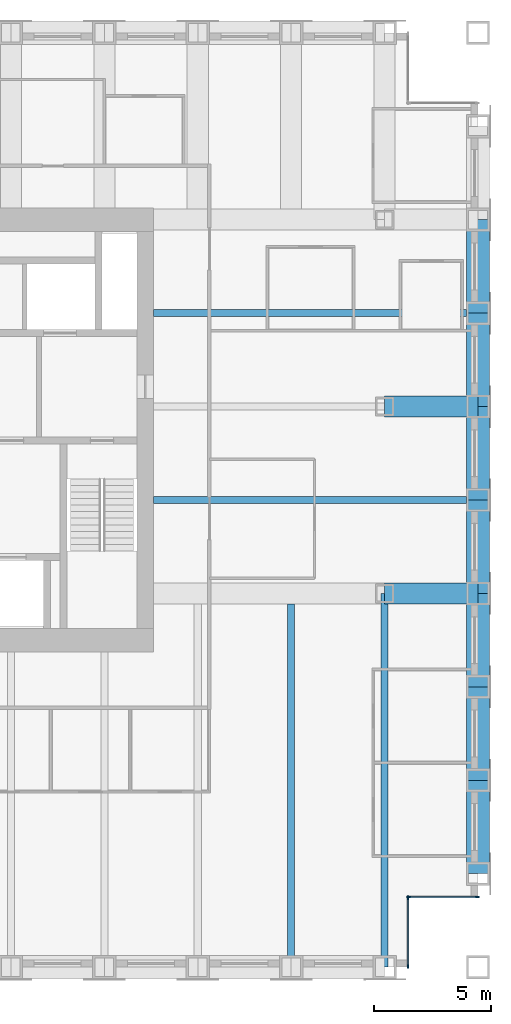
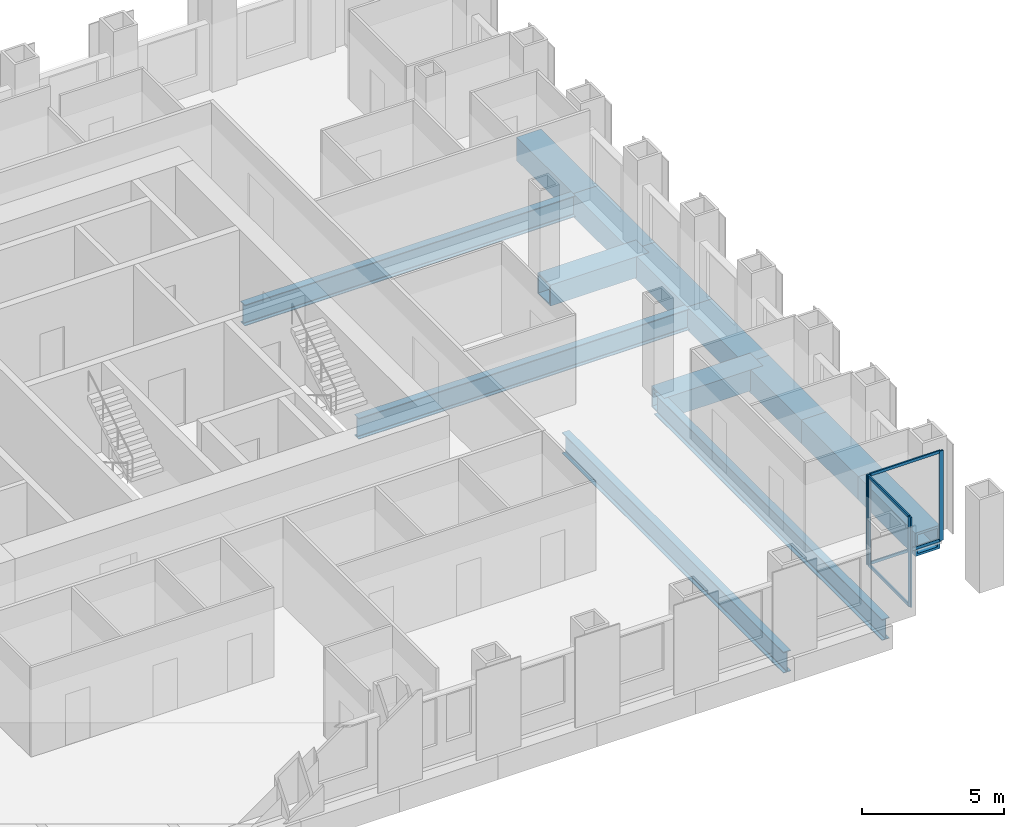
# One storey, part 4 of 13: 13 beams, 8 members, 2 elements without a shape of their own.
"""IFC4 building model written with IfcOpenShell, lengths in metres."""

from ifc_helpers import new_model, si_unit, direction, frame, origin, origin_2d, place, context, subcontext, project, spatial, rectangle, hollow_rectangle, i_section, extrude, material, material_profile, profile_set, type_object, element, aggregate, save


model = new_model("IFC4")

# Units and contexts
model_context = context("Model", 3, precision=1e-05, world=origin(), true_north=direction((0.0, 1.0)))
body_context = subcontext(model_context, "Body", "Model", "MODEL_VIEW")
ifc_project = project(units=[si_unit("LENGTHUNIT", "METRE"), si_unit("AREAUNIT", "SQUARE_METRE"), si_unit("VOLUMEUNIT", "CUBIC_METRE"), si_unit("PLANEANGLEUNIT", "RADIAN"), si_unit("MASSUNIT", "GRAM", prefix="KILO")], contexts=[model_context])

# Site, building, storey
site_placement = place(None, origin())
site = spatial("IfcSite", under=ifc_project, at=site_placement, CompositionType="ELEMENT")
building_placement = place(site_placement, origin())
building = spatial("IfcBuilding", under=site, at=building_placement, Name="Rimbunsela Tower", CompositionType="ELEMENT")
storey_placement = place(building_placement, frame((0.0, 0.0, 254.199951171875)))
storey = spatial("IfcBuildingStorey", under=building, at=storey_placement, Name="L61", CompositionType="ELEMENT", Elevation=254.199951171875)

# Beams
ifc_material_1 = material(Name="Steel BJ 55 (fy 410 MPa)", Category="steel")
ifc_material_profile_1 = material_profile(ifc_material_1, hollow_rectangle(XDim=1.0, YDim=1.0, WallThickness=0.10009765625, at=origin_2d()), Name="BOX 1000x1000x100")
ifc_profile_set_1 = profile_set([ifc_material_profile_1], Name="Steel BJ 55 (fy 410 MPa)")
beam_type_1 = type_object("IfcBeamType", Name="Beam BOX 1000x1000x100", PredefinedType="BEAM", material=ifc_profile_set_1)
for number, where, z_axis, x_axis, name in (
    (1, (50.0, 8.0, -0.64990234375), (0.0, 1.0, 0.0), (-1.0, 0.0, 0.0), "Beam B3 L61"),
    (2, (50.0, 12.0, -0.64990234375), (0.0, 1.0, 0.0), (-1.0, 0.0, 0.0), "Beam B3 L61"),
    (3, (50.0, 16.0, -0.64990234375), (0.0, 1.0, 0.0), (-1.0, 0.0, 0.0), "Beam B3 L61"),
    (4, (50.0, 20.0, -0.64990234375), (0.0, 1.0, 0.0), (-1.0, 0.0, 0.0), "Beam B3 L61"),
    (5, (50.0, 24.0, -0.64990234375), (0.0, 1.0, 0.0), (-1.0, 0.0, 0.0), "Beam B3 L61"),
    (6, (50.0, 28.0, -0.64990234375), (0.0, 1.0, 0.0), (-1.0, 0.0, 0.0), "Beam B3 L61"),
    (7, (50.0, 32.0, -0.64990234375), (0.0, 1.0, 0.0), (-1.0, 0.0, 0.0), "Beam B3 L61"),
):
    element("IfcBeam", number, at=place(storey_placement, frame(where, z_axis=z_axis, x_axis=x_axis)), inside=storey, type_object=beam_type_1, Name=name, PredefinedType="BEAM", context=body_context, shape_type="SweptSolid", body=[
        extrude(hollow_rectangle(XDim=1.0, YDim=1.0, WallThickness=0.10009765625, at=origin_2d()), origin(), (0.0, 0.0, 1.0), 4.0),
    ])
ifc_material_2 = material(Name="Steel BJ 55 (fy 410 MPa)", Category="steel")
ifc_material_profile_2 = material_profile(ifc_material_2, hollow_rectangle(XDim=0.89990234375, YDim=0.89990234375, WallThickness=0.06005859375, at=origin_2d()), Name="BOX 900x900x60")
ifc_profile_set_2 = profile_set([ifc_material_profile_2], Name="Steel BJ 55 (fy 410 MPa)")
beam_type_2 = type_object("IfcBeamType", Name="Beam BOX 900x900x60", PredefinedType="BEAM", material=ifc_profile_set_2)
for number, where, z_axis, x_axis, name in (
    (8, (46.0, 20.0, -0.599853515625), (1.0, 0.0, 0.0), (0.0, 1.0, 0.0), "Beam B1 L61"),
    (9, (46.0, 28.0, -0.599853515625), (1.0, 0.0, 0.0), (0.0, 1.0, 0.0), "Beam B1 L61"),
):
    element("IfcBeam", number, at=place(storey_placement, frame(where, z_axis=z_axis, x_axis=x_axis)), inside=storey, type_object=beam_type_2, Name=name, PredefinedType="BEAM", context=body_context, shape_type="SweptSolid", body=[
        extrude(hollow_rectangle(XDim=0.89990234375, YDim=0.89990234375, WallThickness=0.06005859375, at=origin_2d()), origin(), (0.0, 0.0, 1.0), 4.0),
    ])
ifc_material_3 = material(Name="Steel BJ 55 (fy 410 MPa)", Category="steel")
ifc_material_profile_3 = material_profile(ifc_material_3, i_section(OverallWidth=0.300048828125, OverallDepth=0.89990234375, WebThickness=0.01611328125, FlangeThickness=0.028076171875, FilletRadius=0.028076171875, at=origin_2d()), Name="H 900x300x16x28")
ifc_profile_set_3 = profile_set([ifc_material_profile_3], Name="Steel BJ 55 (fy 410 MPa)")
beam_type_3 = type_object("IfcBeamType", Name="Beam H 900x300x16x28", PredefinedType="BEAM", material=ifc_profile_set_3)
for number, where, z_axis, x_axis, name in (
    (10, (36.10009765625, 24.0, -0.599853515625), (1.0, 0.0, 0.0), (0.0, 1.0, 0.0), "Beam B2 L61"),
    (11, (36.10009765625, 32.0, -0.599853515625), (1.0, 0.0, 0.0), (0.0, 1.0, 0.0), "Beam B2 L61"),
):
    element("IfcBeam", number, at=place(storey_placement, frame(where, z_axis=z_axis, x_axis=x_axis)), inside=storey, type_object=beam_type_3, Name=name, PredefinedType="BEAM", context=body_context, shape_type="SweptSolid", body=[
        extrude(i_section(OverallWidth=0.300048828125, OverallDepth=0.89990234375, WebThickness=0.01611328125, FlangeThickness=0.028076171875, FilletRadius=0.028076171875, at=origin_2d()), origin(), (0.0, 0.0, 1.0), 13.89990234375),
    ])
beam_1_placement = place(storey_placement, frame((42.0, 4.0, -0.599853515625), z_axis=(0.0, 1.0, 0.0), x_axis=(-1.0, 0.0, 0.0)))
element("IfcBeam", 12, at=beam_1_placement, inside=storey, type_object=beam_type_3, Name="Beam B2 L61", PredefinedType="BEAM", context=body_context, shape_type="SweptSolid", body=[
    extrude(i_section(OverallWidth=0.300048828125, OverallDepth=0.89990234375, WebThickness=0.01611328125, FlangeThickness=0.028076171875, FilletRadius=0.028076171875, at=origin_2d()), origin(), (0.0, 0.0, 1.0), 15.550048828125),
])
beam_2_placement = place(storey_placement, frame((46.0, 4.0, -0.599853515625), z_axis=(0.0, 1.0, 0.0), x_axis=(-1.0, 0.0, 0.0)))
element("IfcBeam", 13, at=beam_2_placement, inside=storey, type_object=beam_type_3, Name="Beam B2 L61", PredefinedType="BEAM", context=body_context, shape_type="SweptSolid", body=[
    extrude(i_section(OverallWidth=0.300048828125, OverallDepth=0.89990234375, WebThickness=0.01611328125, FlangeThickness=0.028076171875, FilletRadius=0.028076171875, at=origin_2d()), origin(), (0.0, 0.0, 1.0), 16.0),
])

# Curtain wall, members
ifc_material_4 = material(Name="Aluminium curtain wall", Category="aluminium")
curtain_wall_type = type_object("IfcCurtainWallType", Name="Corner glazing", PredefinedType="USERDEFINED", material=ifc_material_4)
curtain_wall_1_placement = place(storey_placement, origin())
curtain_wall_1 = element("IfcCurtainWall", 14, at=curtain_wall_1_placement, inside=storey, type_object=curtain_wall_type, Name="Corner glazing L61", ObjectType="CORNER GLAZING", PredefinedType="USERDEFINED")
ifc_material_5 = material(Name="Aluminium mullion", Category="aluminium")
ifc_material_profile_4 = material_profile(ifc_material_5, rectangle(XDim=0.06005859375, YDim=0.159912109375, at=origin_2d()), Name="Mullion 60x160")
ifc_profile_set_4 = profile_set([ifc_material_profile_4], Name="Aluminium mullion")
member_type_1 = type_object("IfcMemberType", Name="Curtain wall mullion 60x160", PredefinedType="MULLION", material=ifc_profile_set_4)
member_1_placement = place(storey_placement, frame((47.0, 4.030029296875, 0.0), z_axis=(0.0, 0.0, 1.0), x_axis=(-1.0, 0.0, 0.0)))
member_1 = element("IfcMember", 15, at=member_1_placement, type_object=member_type_1, Name="CW5 mullion 1", PredefinedType="MULLION", context=body_context, shape_type="SweptSolid", body=[
    extrude(rectangle(XDim=0.06005859375, YDim=0.159912109375, at=origin_2d()), origin(), (0.0, 0.0, 1.0), 3.85009765625),
])
member_2_placement = place(storey_placement, frame((47.0, 6.969970703125, 0.0), z_axis=(0.0, 0.0, 1.0), x_axis=(-1.0, 0.0, 0.0)))
member_2 = element("IfcMember", 16, at=member_2_placement, type_object=member_type_1, Name="CW5 mullion 2", PredefinedType="MULLION", context=body_context, shape_type="SweptSolid", body=[
    extrude(rectangle(XDim=0.06005859375, YDim=0.159912109375, at=origin_2d()), origin(), (0.0, 0.0, 1.0), 3.85009765625),
])

curtain_wall_2_placement = place(storey_placement, origin())
curtain_wall_2 = element("IfcCurtainWall", 17, at=curtain_wall_2_placement, inside=storey, type_object=curtain_wall_type, Name="Corner glazing L61", ObjectType="CORNER GLAZING", PredefinedType="USERDEFINED")
member_3_placement = place(storey_placement, frame((47.030029296875, 7.0, 0.0), z_axis=(0.0, 0.0, 1.0), x_axis=(0.0, 1.0, 0.0)))
member_3 = element("IfcMember", 18, at=member_3_placement, type_object=member_type_1, Name="CW5 mullion 1", PredefinedType="MULLION", context=body_context, shape_type="SweptSolid", body=[
    extrude(rectangle(XDim=0.06005859375, YDim=0.159912109375, at=origin_2d()), origin(), (0.0, 0.0, 1.0), 3.85009765625),
])
member_4_placement = place(storey_placement, frame((49.969970703125, 7.0, 0.0), z_axis=(0.0, 0.0, 1.0), x_axis=(0.0, 1.0, 0.0)))
member_4 = element("IfcMember", 19, at=member_4_placement, type_object=member_type_1, Name="CW5 mullion 2", PredefinedType="MULLION", context=body_context, shape_type="SweptSolid", body=[
    extrude(rectangle(XDim=0.06005859375, YDim=0.159912109375, at=origin_2d()), origin(), (0.0, 0.0, 1.0), 3.85009765625),
])

# Member
ifc_material_6 = material(Name="Aluminium transom", Category="aluminium")
ifc_material_profile_5 = material_profile(ifc_material_6, rectangle(XDim=0.06005859375, YDim=0.1201171875, at=origin_2d()), Name="Transom 60x120")
ifc_profile_set_5 = profile_set([ifc_material_profile_5], Name="Aluminium transom")
member_type_2 = type_object("IfcMemberType", Name="Curtain wall transom 60x120", PredefinedType="USERDEFINED", material=ifc_profile_set_5)
member_5_placement = place(storey_placement, frame((47.0, 4.06005859375, 0.030029296875), z_axis=(0.0, 1.0, 0.0), x_axis=(-1.0, 0.0, 0.0)))
member_5 = element("IfcMember", 20, at=member_5_placement, type_object=member_type_2, Name="CW5 transom 1.1", ObjectType="TRANSOM", PredefinedType="USERDEFINED", context=body_context, shape_type="SweptSolid", body=[
    extrude(rectangle(XDim=0.06005859375, YDim=0.1201171875, at=origin_2d()), origin(), (0.0, 0.0, 1.0), 2.8798828125),
])

member_6_placement = place(storey_placement, frame((47.0, 4.06005859375, 3.820068359375), z_axis=(0.0, 1.0, 0.0), x_axis=(-1.0, 0.0, 0.0)))
member_6 = element("IfcMember", 21, at=member_6_placement, type_object=member_type_2, Name="CW5 transom 1.2", ObjectType="TRANSOM", PredefinedType="USERDEFINED", context=body_context, shape_type="SweptSolid", body=[
    extrude(rectangle(XDim=0.06005859375, YDim=0.1201171875, at=origin_2d()), origin(), (0.0, 0.0, 1.0), 2.8798828125),
])

aggregate(curtain_wall_1, [member_1, member_2, member_5, member_6])

member_7_placement = place(storey_placement, frame((47.06005859375, 7.0, 0.030029296875), z_axis=(1.0, 0.0, 0.0), x_axis=(0.0, 1.0, 0.0)))
member_7 = element("IfcMember", 22, at=member_7_placement, type_object=member_type_2, Name="CW5 transom 1.1", ObjectType="TRANSOM", PredefinedType="USERDEFINED", context=body_context, shape_type="SweptSolid", body=[
    extrude(rectangle(XDim=0.06005859375, YDim=0.1201171875, at=origin_2d()), origin(), (0.0, 0.0, 1.0), 2.8798828125),
])

member_8_placement = place(storey_placement, frame((47.06005859375, 7.0, 3.820068359375), z_axis=(1.0, 0.0, 0.0), x_axis=(0.0, 1.0, 0.0)))
member_8 = element("IfcMember", 23, at=member_8_placement, type_object=member_type_2, Name="CW5 transom 1.2", ObjectType="TRANSOM", PredefinedType="USERDEFINED", context=body_context, shape_type="SweptSolid", body=[
    extrude(rectangle(XDim=0.06005859375, YDim=0.1201171875, at=origin_2d()), origin(), (0.0, 0.0, 1.0), 2.8798828125),
])

aggregate(curtain_wall_2, [member_3, member_4, member_7, member_8])

save(model, "model.ifc")
